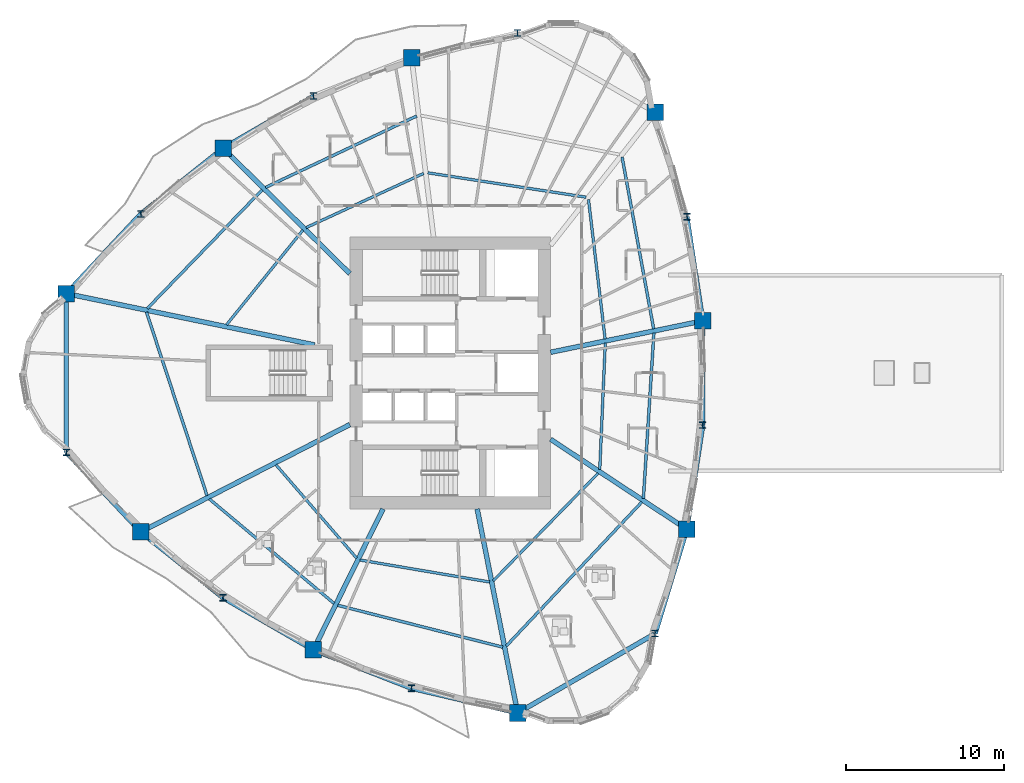
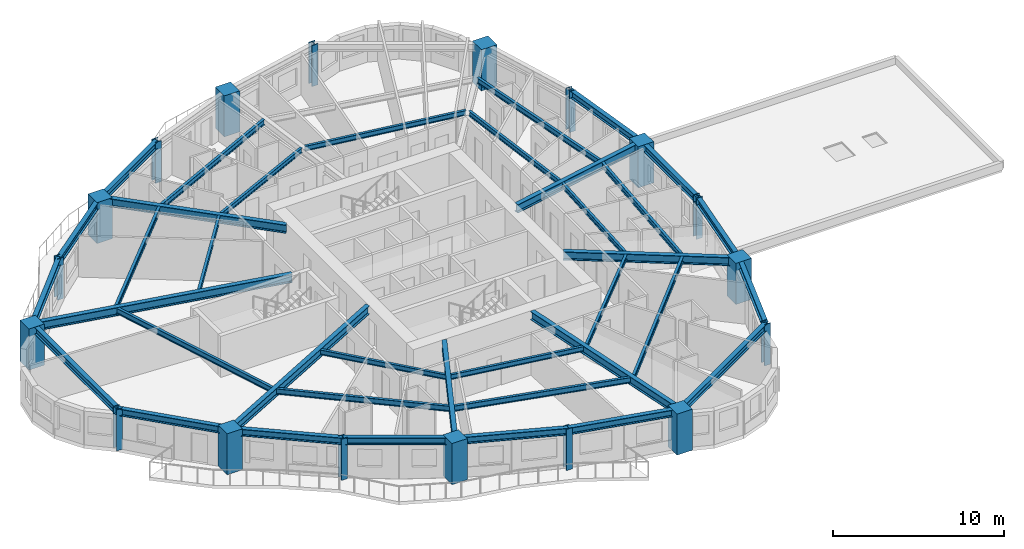
# One storey, part 1 of 15: 37 beams, 18 columns.
"""IFC4 building model written with IfcOpenShell, lengths in metres."""

import ifcopenshell
import ifcopenshell.guid

model = None  # the IFC model being written
_history = None  # IfcOwnerHistory: only IFC2X3 demands one
_inside = {}  # id of a spatial element -> (the spatial element, [elements in it])
_under = {}  # id of a project, library or spatial element -> (it, [spatial elements below it])
_declared = {}  # id of a project -> (the project, [libraries it declares])
_typed = {}  # id of a type object -> (the type object, [elements of that type])
_made_of = {}  # id of a material, layer set ... -> (it, [elements and type objects made of it])


def new_model(schema):
    """Start an empty IFC model of exactly this schema.

    Asked for "IFC4X3", IfcOpenShell would pick the latest addendum, in which some entities
    have other attributes; the version numbers below select the first issue.
    IFC2X3 requires an IfcOwnerHistory on every rooted entity: one is made here for all.
    """
    global model, _history
    if schema == "IFC4X3":
        model = ifcopenshell.file(schema_version=(4, 3, 0, 0))
    else:
        model = ifcopenshell.file(schema=schema)
    _inside.clear()
    _under.clear()
    _declared.clear()
    _typed.clear()
    _made_of.clear()
    _history = None
    if model.schema == "IFC2X3":
        org = make("IfcOrganization", Name="unknown")
        user = make(
            "IfcPersonAndOrganization",
            ThePerson=make("IfcPerson", FamilyName="unknown"),
            TheOrganization=org,
        )
        app = make(
            "IfcApplication",
            ApplicationDeveloper=org,
            Version="unknown",
            ApplicationFullName="unknown",
            ApplicationIdentifier="unknown",
        )
        _history = make(
            "IfcOwnerHistory",
            OwningUser=user,
            OwningApplication=app,
            ChangeAction="ADDED",
            CreationDate=0,
        )
    return model


def make(cls, **values):
    """One entity of the class cls with the attributes given. An attribute that is None is left unset."""
    return model.create_entity(
        cls, **{name: value for name, value in values.items() if value is not None}
    )


def rooted(cls, **values):
    """An entity with a GlobalId (a new one), such as an element, a storey or a relation."""
    return make(cls, GlobalId=ifcopenshell.guid.new(), OwnerHistory=_history, **values)


def si_unit(unit_type, name, prefix=None):
    """IfcSIUnit, for example si_unit("LENGTHUNIT", "METRE", prefix="MILLI")."""
    return make("IfcSIUnit", UnitType=unit_type, Prefix=prefix, Name=name)


def assignment(units):
    """IfcUnitAssignment: the units of a project."""
    return None if units is None else make("IfcUnitAssignment", Units=units)


def point(xyz):
    """IfcCartesianPoint."""
    return None if xyz is None else make("IfcCartesianPoint", Coordinates=xyz)


def direction(xyz):
    """IfcDirection."""
    return None if xyz is None else make("IfcDirection", DirectionRatios=xyz)


def frame(location, z_axis=None, x_axis=None):
    """IfcAxis2Placement3D, a coordinate frame: its origin and axes. An axis left out is left unset."""
    return make(
        "IfcAxis2Placement3D",
        Location=point(location),
        Axis=direction(z_axis),
        RefDirection=direction(x_axis),
    )


def frame_2d(location, x_axis=None):
    """IfcAxis2Placement2D, a coordinate frame in the plane: its origin and x axis."""
    return make(
        "IfcAxis2Placement2D", Location=point(location), RefDirection=direction(x_axis)
    )


def origin():
    """The frame at (0, 0, 0) with its axes left unset."""
    return frame((0.0, 0.0, 0.0))


def origin_2d():
    """The frame at (0, 0) in the plane with its x axis left unset."""
    return frame_2d((0.0, 0.0))


def place(relative_to, where):
    """IfcLocalPlacement: puts the frame where relative to a parent placement (None: the world)."""
    return make(
        "IfcLocalPlacement", PlacementRelTo=relative_to, RelativePlacement=where
    )


def context(
    kind, dimensions, precision=None, world=None, true_north=None, identifier=None
):
    """IfcGeometricRepresentationContext, for example the 3D "Model" context."""
    return make(
        "IfcGeometricRepresentationContext",
        ContextIdentifier=identifier,
        ContextType=kind,
        CoordinateSpaceDimension=dimensions,
        Precision=precision,
        WorldCoordinateSystem=world,
        TrueNorth=true_north,
    )


def subcontext(parent, identifier, kind, view, scale=None):
    """IfcGeometricRepresentationSubContext, for example "Body" below "Model"."""
    return make(
        "IfcGeometricRepresentationSubContext",
        ContextIdentifier=identifier,
        ContextType=kind,
        ParentContext=parent,
        TargetScale=scale,
        TargetView=view,
    )


def project(units=None, contexts=None):
    """IfcProject with its units and contexts."""
    return rooted(
        "IfcProject",
        Name="project",
        RepresentationContexts=contexts,
        UnitsInContext=assignment(units),
    )


def spatial(cls, under=None, at=None, **own):
    """A site, building, storey or space (cls), placed at a placement, below another one or the project."""
    s = rooted(cls, ObjectPlacement=at, **own)
    if under is not None:
        _under.setdefault(under.id(), (under, []))[1].append(s)
    return s


def profile(cls, at=None, kind="AREA", **sizes):
    """A parametric profile (cls). Its sizes go by their IFC names, for example OverallWidth=200.0."""
    return make(cls, ProfileType=kind, Position=at, **sizes)


def rectangle(**sizes):
    """IfcRectangleProfileDef."""
    return profile("IfcRectangleProfileDef", **sizes)


def i_section(**sizes):
    """IfcIShapeProfileDef."""
    return profile("IfcIShapeProfileDef", **sizes)


def extrude(swept, where, along, depth):
    """IfcExtrudedAreaSolid: the profile swept, set in the frame where, extruded along a direction by depth."""
    return make(
        "IfcExtrudedAreaSolid",
        SweptArea=swept,
        Position=where,
        ExtrudedDirection=direction(along),
        Depth=depth,
    )


def shape(context_of_items, identifier, shape_type, items):
    """IfcShapeRepresentation: the items that make up one representation, for example the "Body"."""
    return make(
        "IfcShapeRepresentation",
        ContextOfItems=context_of_items,
        RepresentationIdentifier=identifier,
        RepresentationType=shape_type,
        Items=items,
    )


def source(mapping_origin, context_of_items, identifier, shape_type, items):
    """IfcRepresentationMap: a shape defined once, which mapped items show again and again."""
    return make(
        "IfcRepresentationMap",
        MappingOrigin=mapping_origin,
        MappedRepresentation=shape(context_of_items, identifier, shape_type, items),
    )


def transform(
    local_origin,
    x_axis=None,
    y_axis=None,
    z_axis=None,
    scale=None,
    scale2=None,
    scale3=None,
    uniform=True,
):
    """IfcCartesianTransformationOperator3D, or its non-uniform kind. x_axis, y_axis, z_axis: its Axis1, 2, 3."""
    if uniform:
        return make(
            "IfcCartesianTransformationOperator3D",
            Axis1=direction(x_axis),
            Axis2=direction(y_axis),
            LocalOrigin=point(local_origin),
            Scale=scale,
            Axis3=direction(z_axis),
        )
    return make(
        "IfcCartesianTransformationOperator3DnonUniform",
        Axis1=direction(x_axis),
        Axis2=direction(y_axis),
        LocalOrigin=point(local_origin),
        Scale=scale,
        Axis3=direction(z_axis),
        Scale2=scale2,
        Scale3=scale3,
    )


def mapped(mapping_source, mapping_target):
    """IfcMappedItem: shows the shape of a source again, moved by a transform."""
    return make(
        "IfcMappedItem", MappingSource=mapping_source, MappingTarget=mapping_target
    )


def material(Name=None, Category=None):
    """IfcMaterial."""
    return make("IfcMaterial", Name=Name, Category=Category)


def material_profile(
    of_material, cross_section, Name=None, Category=None, Priority=None
):
    """IfcMaterialProfile: a cross section and its material."""
    return make(
        "IfcMaterialProfile",
        Name=Name,
        Material=of_material,
        Profile=cross_section,
        Priority=Priority,
        Category=Category,
    )


def profile_set(profiles, Name=None, composite=None):
    """IfcMaterialProfileSet."""
    return make(
        "IfcMaterialProfileSet",
        Name=Name,
        MaterialProfiles=profiles,
        CompositeProfile=composite,
    )


def made_of(thing, what):
    """Note that an element or type object is made of a material, layer set ...; save() writes the relation."""
    if what is not None:
        _made_of.setdefault(what.id(), (what, []))[1].append(thing)
    return thing


def type_object(cls, material=None, **own):
    """A type object (cls), such as IfcWallType, which elements share."""
    return made_of(rooted(cls, **own), material)


def element(
    cls,
    number,
    at=None,
    inside=None,
    cuts=None,
    type_object=None,
    material=None,
    context=None,
    identifier="Body",
    shape_type=None,
    held_by="IfcProductDefinitionShape",
    body=None,
    shapes=None,
    **own,
):
    """One element of the class cls, such as IfcWall. Its Tag is "e" and its number.

    at: its placement. inside: the storey or other place that contains it. cuts: it is an
    opening in that element (IfcRelVoidsElement). A single representation is given by context,
    identifier, shape_type and body (its items); several are given by shapes. held_by: the class
    of the entity that holds the representations. save() writes the other relations.
    """
    e = rooted(cls, Tag="e%d" % number, ObjectPlacement=at, **own)
    if body is not None:
        shapes = [shape(context, identifier, shape_type, body)]
    if shapes is not None:
        e.Representation = make(held_by, Representations=shapes)
    if inside is not None:
        _inside.setdefault(inside.id(), (inside, []))[1].append(e)
    if cuts is not None:
        rooted(
            "IfcRelVoidsElement", RelatingBuildingElement=cuts, RelatedOpeningElement=e
        )
    if type_object is not None:
        _typed.setdefault(type_object.id(), (type_object, []))[1].append(e)
    return made_of(e, material)


def aggregate(whole, parts):
    """IfcRelAggregates: a whole, such as a stair, and the parts it consists of."""
    return rooted("IfcRelAggregates", RelatingObject=whole, RelatedObjects=parts)


def save(model, path):
    """Write the relations noted so far, then the file.

    IfcRelAggregates (storeys below a building ...), IfcRelContainedInSpatialStructure (elements
    in a storey), IfcRelDefinesByType, IfcRelAssociatesMaterial and IfcRelDeclares: one each for
    every whole, place, type object, material and project.
    """
    for whole, parts in _under.values():
        aggregate(whole, parts)
    for where, things in _inside.values():
        rooted(
            "IfcRelContainedInSpatialStructure",
            RelatedElements=things,
            RelatingStructure=where,
        )
    for kind, things in _typed.values():
        rooted("IfcRelDefinesByType", RelatedObjects=things, RelatingType=kind)
    for what, things in _made_of.values():
        rooted("IfcRelAssociatesMaterial", RelatedObjects=things, RelatingMaterial=what)
    for by, libraries in _declared.values():
        rooted("IfcRelDeclares", RelatingContext=by, RelatedDefinitions=libraries)
    model.write(path)


model = new_model("IFC4")

# Units and contexts
model_context = context("Model", 3, precision=1e-05, world=origin(), true_north=direction((0.0, 1.0)))
body_context = subcontext(model_context, "Body", "Model", "MODEL_VIEW")
ifc_project = project(units=[si_unit("LENGTHUNIT", "METRE"), si_unit("AREAUNIT", "SQUARE_METRE"), si_unit("VOLUMEUNIT", "CUBIC_METRE"), si_unit("PLANEANGLEUNIT", "RADIAN"), si_unit("MASSUNIT", "GRAM", prefix="KILO")], contexts=[model_context])

# Site, building, storey
site_placement = place(None, origin())
site = spatial("IfcSite", under=ifc_project, at=site_placement, CompositionType="ELEMENT")
building_placement = place(site_placement, origin())
building = spatial("IfcBuilding", under=site, at=building_placement, Name="Qafzar Sky-Pleat Residences", CompositionType="ELEMENT")
storey_placement = place(building_placement, frame((0.0, 0.0, 36.60009765625)))
storey = spatial("IfcBuildingStorey", under=building, at=storey_placement, Name="L10", CompositionType="ELEMENT", Elevation=36.60009765625)

# Columns
ifc_material_1 = material(Name="Concrete C60/75", Category="concrete")
ifc_material_profile_1 = material_profile(ifc_material_1, rectangle(XDim=1.050048828125, YDim=1.050048828125, at=origin_2d()), Name="RC 1050x1050")
ifc_profile_set_1 = profile_set([ifc_material_profile_1], Name="Concrete C60/75")
column_type_1 = type_object("IfcColumnType", Name="COL-RC-1050", PredefinedType="COLUMN", material=ifc_profile_set_1)
shared_shape_1 = source(origin(), body_context, "Body", "SweptSolid", [
    extrude(rectangle(XDim=1.050048828125, YDim=1.050048828125, at=origin_2d()), origin(), (0.0, 0.0, 1.0), 2.93994140625),
])
for number, where, z_axis, x_axis, name in (
    (1, (6.06494140625, 31.02294921875, 0.0), (0.0, 0.0, 1.0), (1.0, 0.0, 0.0), "L10 Perimeter Mega Column 1"),
    (2, (10.773193359375, 15.944091796875, 0.0), (0.0, 0.0, 1.0), (1.0, 0.0, 0.0), "L10 Perimeter Mega Column 3"),
    (3, (21.693115234375, 8.482177734375, 0.0), (0.0, 0.0, 1.0), (1.0, 0.0, 0.0), "L10 Perimeter Mega Column 5"),
    (4, (34.617431640625, 4.4921875, 0.0), (0.0, 0.0, 1.0), (1.0, 0.0, 0.0), "L10 Perimeter Mega Column 7"),
    (5, (45.322021484375, 16.109130859375, 0.0), (0.0, 0.0, 1.0), (1.0, 0.0, 0.0), "L10 Perimeter Mega Column 9"),
    (6, (46.32421875, 29.297119140625, 0.0), (0.0, 0.0, 1.0), (1.0, 0.0, 0.0), "L10 Perimeter Mega Column 11"),
    (7, (43.3173828125, 42.48486328125, 0.0), (0.0, 0.0, 1.0), (1.0, 0.0, 0.0), "L10 Perimeter Mega Column 13"),
    (8, (27.90478515625, 45.94677734375, 0.0), (0.0, 0.0, 1.0), (1.0, 0.0, 0.0), "L10 Perimeter Mega Column 15"),
    (9, (15.982666015625, 40.220947265625, 0.0), (0.0, 0.0, 1.0), (1.0, 0.0, 0.0), "L10 Perimeter Mega Column 17"),
):
    element("IfcColumn", number, at=place(storey_placement, frame(where, z_axis=z_axis, x_axis=x_axis)), inside=storey, type_object=column_type_1, Name=name, PredefinedType="COLUMN", context=body_context, shape_type="MappedRepresentation", body=[
        mapped(shared_shape_1, transform((0.0, 0.0, 0.0), x_axis=(1.0, 0.0, 0.0), y_axis=(0.0, 1.0, 0.0), z_axis=(0.0, 0.0, 1.0), scale=1.0)),
    ])
ifc_material_2 = material(Name="Steel S460", Category="steel")
ifc_material_profile_2 = material_profile(ifc_material_2, i_section(OverallWidth=0.408935546875, OverallDepth=0.425048828125, WebThickness=0.030029296875, FlangeThickness=0.048095703125, FilletRadius=0.014892578125, at=origin_2d()), Name="HD 400x421")
ifc_profile_set_2 = profile_set([ifc_material_profile_2], Name="Steel S460")
column_type_2 = type_object("IfcColumnType", Name="COL-STL-HD421", PredefinedType="PILASTER", material=ifc_profile_set_2)
shared_shape_2 = source(origin(), body_context, "Body", "SweptSolid", [
    extrude(i_section(OverallWidth=0.408935546875, OverallDepth=0.425048828125, WebThickness=0.030029296875, FlangeThickness=0.048095703125, FilletRadius=0.014892578125, at=origin_2d()), origin(), (0.0, 0.0, 1.0), 2.93994140625),
])
for number, where, z_axis, x_axis, name in (
    (10, (6.06494140625, 20.97705078125, 0.0), (0.0, 0.0, 1.0), (1.0, 0.0, 0.0), "L10 Perimeter Mega Column 2"),
    (11, (15.982666015625, 11.779052734375, 0.0), (0.0, 0.0, 1.0), (1.0, 0.0, 0.0), "L10 Perimeter Mega Column 4"),
    (12, (27.90478515625, 6.05322265625, 0.0), (0.0, 0.0, 1.0), (1.0, 0.0, 0.0), "L10 Perimeter Mega Column 6"),
    (13, (43.3173828125, 9.51513671875, 0.0), (0.0, 0.0, 1.0), (1.0, 0.0, 0.0), "L10 Perimeter Mega Column 8"),
    (14, (46.32421875, 22.702880859375, 0.0), (0.0, 0.0, 1.0), (1.0, 0.0, 0.0), "L10 Perimeter Mega Column 10"),
    (15, (45.322021484375, 35.890869140625, 0.0), (0.0, 0.0, 1.0), (1.0, 0.0, 0.0), "L10 Perimeter Mega Column 12"),
    (16, (34.617431640625, 47.5078125, 0.0), (0.0, 0.0, 1.0), (1.0, 0.0, 0.0), "L10 Perimeter Mega Column 14"),
    (17, (21.693115234375, 43.517822265625, 0.0), (0.0, 0.0, 1.0), (1.0, 0.0, 0.0), "L10 Perimeter Mega Column 16"),
    (18, (10.773193359375, 36.055908203125, 0.0), (0.0, 0.0, 1.0), (1.0, 0.0, 0.0), "L10 Perimeter Mega Column 18"),
):
    element("IfcColumn", number, at=place(storey_placement, frame(where, z_axis=z_axis, x_axis=x_axis)), inside=storey, type_object=column_type_2, Name=name, PredefinedType="PILASTER", context=body_context, shape_type="MappedRepresentation", body=[
        mapped(shared_shape_2, transform((0.0, 0.0, 0.0), x_axis=(1.0, 0.0, 0.0), y_axis=(0.0, 1.0, 0.0), z_axis=(0.0, 0.0, 1.0), scale=1.0)),
    ])

# Beams
ifc_material_3 = material(Name="Steel S355", Category="steel")
ifc_material_profile_3 = material_profile(ifc_material_3, i_section(OverallWidth=0.300048828125, OverallDepth=0.5, WebThickness=0.014404296875, FlangeThickness=0.028076171875, FilletRadius=0.027099609375, at=origin_2d()), Name="HEB 500")
ifc_profile_set_3 = profile_set([ifc_material_profile_3], Name="Steel S355")
beam_type_1 = type_object("IfcBeamType", Name="BM-SPAN-HEB500", PredefinedType="SPANDREL", material=ifc_profile_set_3)
shared_shape_3 = source(origin(), body_context, "Body", "SweptSolid", [
    extrude(i_section(OverallWidth=0.300048828125, OverallDepth=0.5, WebThickness=0.014404296875, FlangeThickness=0.028076171875, FilletRadius=0.027099609375, at=origin_2d()), origin(), (0.0, 0.0, 1.0), 10.0458984375),
])
for number, where, z_axis, x_axis, name in (
    (19, (6.06494140625, 31.02294921875, 2.68798828125), (0.0, -1.0, 0.0), (1.0, 0.0, 0.0), "L10 Perimeter Spandrel Beam 1"),
    (20, (34.617431640625, 4.4921875, 2.68798828125), (0.866024107753, 0.500002244785, 0.0), (-0.500002244785, 0.866024107753, 0.0), "L10 Perimeter Spandrel Beam 7"),
):
    element("IfcBeam", number, at=place(storey_placement, frame(where, z_axis=z_axis, x_axis=x_axis)), inside=storey, type_object=beam_type_1, Name=name, PredefinedType="SPANDREL", context=body_context, shape_type="MappedRepresentation", body=[
        mapped(shared_shape_3, transform((0.0, 0.0, 0.0), x_axis=(1.0, 0.0, 0.0), y_axis=(0.0, 1.0, 0.0), z_axis=(0.0, 0.0, 1.0), scale=1.0)),
    ])
shared_shape_4 = source(origin(), body_context, "Body", "SweptSolid", [
    extrude(i_section(OverallWidth=0.300048828125, OverallDepth=0.5, WebThickness=0.014404296875, FlangeThickness=0.028076171875, FilletRadius=0.027099609375, at=origin_2d()), origin(), (0.0, 0.0, 1.0), 6.891845703125),
])
for number, where, z_axis, x_axis, name in (
    (21, (6.06494140625, 20.97705078125, 2.68798828125), (0.683157128776, -0.730271413519, 0.0), (0.730271413519, 0.683157128776, 0.0), "L10 Perimeter Spandrel Beam 2"),
    (22, (27.90478515625, 6.05322265625, 2.68798828125), (0.974009481097, -0.226507242122, 0.0), (0.226507242122, 0.974009481097, 0.0), "L10 Perimeter Spandrel Beam 6"),
    (23, (10.773193359375, 36.055908203125, 2.68798828125), (-0.683157128776, -0.730271413519, 0.0), (0.730271413519, -0.683157128776, 0.0), "L10 Perimeter Spandrel Beam 18"),
):
    element("IfcBeam", number, at=place(storey_placement, frame(where, z_axis=z_axis, x_axis=x_axis)), inside=storey, type_object=beam_type_1, Name=name, PredefinedType="SPANDREL", context=body_context, shape_type="MappedRepresentation", body=[
        mapped(shared_shape_4, transform((0.0, 0.0, 0.0), x_axis=(1.0, 0.0, 0.0), y_axis=(0.0, 1.0, 0.0), z_axis=(0.0, 0.0, 1.0), scale=1.0)),
    ])
shared_shape_5 = source(origin(), body_context, "Body", "SweptSolid", [
    extrude(i_section(OverallWidth=0.300048828125, OverallDepth=0.5, WebThickness=0.014404296875, FlangeThickness=0.028076171875, FilletRadius=0.027099609375, at=origin_2d()), origin(), (0.0, 0.0, 1.0), 6.669677734375),
])
for number, where, z_axis, x_axis, name in (
    (24, (10.773193359375, 15.944091796875, 2.68798828125), (0.781054472885, -0.624462897526, 0.0), (0.624462897526, 0.781054472885, 0.0), "L10 Perimeter Spandrel Beam 3"),
    (25, (21.693115234375, 8.482177734375, 2.68798828125), (0.931329164227, -0.364178510981, 0.0), (0.364178510981, 0.931329164227, 0.0), "L10 Perimeter Spandrel Beam 5"),
    (26, (15.982666015625, 40.220947265625, 2.68798828125), (-0.781054472885, -0.624462897526, 0.0), (0.624462897526, -0.781054472885, 0.0), "L10 Perimeter Spandrel Beam 17"),
):
    element("IfcBeam", number, at=place(storey_placement, frame(where, z_axis=z_axis, x_axis=x_axis)), inside=storey, type_object=beam_type_1, Name=name, PredefinedType="SPANDREL", context=body_context, shape_type="MappedRepresentation", body=[
        mapped(shared_shape_5, transform((0.0, 0.0, 0.0), x_axis=(1.0, 0.0, 0.0), y_axis=(0.0, 1.0, 0.0), z_axis=(0.0, 0.0, 1.0), scale=1.0)),
    ])
shared_shape_6 = source(origin(), body_context, "Body", "SweptSolid", [
    extrude(i_section(OverallWidth=0.300048828125, OverallDepth=0.5, WebThickness=0.014404296875, FlangeThickness=0.028076171875, FilletRadius=0.027099609375, at=origin_2d()), origin(), (0.0, 0.0, 1.0), 6.59375),
])
for number, where, z_axis, x_axis, name in (
    (27, (15.982666015625, 11.779052734375, 2.68798828125), (0.866028975758, -0.49999381311, 0.0), (0.49999381311, 0.866028975758, 0.0), "L10 Perimeter Spandrel Beam 4"),
    (28, (21.693115234375, 43.517822265625, 2.68798828125), (-0.866028975758, -0.49999381311, 0.0), (0.49999381311, -0.866028975758, 0.0), "L10 Perimeter Spandrel Beam 16"),
):
    element("IfcBeam", number, at=place(storey_placement, frame(where, z_axis=z_axis, x_axis=x_axis)), inside=storey, type_object=beam_type_1, Name=name, PredefinedType="SPANDREL", context=body_context, shape_type="MappedRepresentation", body=[
        mapped(shared_shape_6, transform((0.0, 0.0, 0.0), x_axis=(1.0, 0.0, 0.0), y_axis=(0.0, 1.0, 0.0), z_axis=(0.0, 0.0, 1.0), scale=1.0)),
    ])
shared_shape_7 = source(origin(), body_context, "Body", "SweptSolid", [
    extrude(i_section(OverallWidth=0.300048828125, OverallDepth=0.5, WebThickness=0.014404296875, FlangeThickness=0.028076171875, FilletRadius=0.027099609375, at=origin_2d()), origin(), (0.0, 0.0, 1.0), 6.89208984375),
])
beam_1_placement = place(storey_placement, frame((43.3173828125, 9.51513671875, 2.68798828125), z_axis=(0.290865585576, 0.95676392654, 0.0), x_axis=(-0.95676392654, 0.290865585576, 0.0)))
element("IfcBeam", 29, at=beam_1_placement, inside=storey, type_object=beam_type_1, Name="L10 Perimeter Spandrel Beam 8", PredefinedType="SPANDREL", context=body_context, shape_type="MappedRepresentation", body=[
    mapped(shared_shape_7, transform((0.0, 0.0, 0.0), x_axis=(1.0, 0.0, 0.0), y_axis=(0.0, 1.0, 0.0), z_axis=(0.0, 0.0, 1.0), scale=1.0)),
])
shared_shape_8 = source(origin(), body_context, "Body", "SweptSolid", [
    extrude(i_section(OverallWidth=0.300048828125, OverallDepth=0.5, WebThickness=0.014404296875, FlangeThickness=0.028076171875, FilletRadius=0.027099609375, at=origin_2d()), origin(), (0.0, 0.0, 1.0), 6.66943359375),
])
for number, where, z_axis, x_axis, name in (
    (30, (45.322021484375, 16.109130859375, 2.68798828125), (0.150266219826, 0.98864557005, 0.0), (-0.98864557005, 0.150266219826, 0.0), "L10 Perimeter Spandrel Beam 9"),
    (31, (46.32421875, 29.297119140625, 2.68798828125), (-0.150266219826, 0.98864557005, 0.0), (-0.98864557005, -0.150266219826, 0.0), "L10 Perimeter Spandrel Beam 11"),
):
    element("IfcBeam", number, at=place(storey_placement, frame(where, z_axis=z_axis, x_axis=x_axis)), inside=storey, type_object=beam_type_1, Name=name, PredefinedType="SPANDREL", context=body_context, shape_type="MappedRepresentation", body=[
        mapped(shared_shape_8, transform((0.0, 0.0, 0.0), x_axis=(1.0, 0.0, 0.0), y_axis=(0.0, 1.0, 0.0), z_axis=(0.0, 0.0, 1.0), scale=1.0)),
    ])
shared_shape_9 = source(origin(), body_context, "Body", "SweptSolid", [
    extrude(i_section(OverallWidth=0.300048828125, OverallDepth=0.5, WebThickness=0.014404296875, FlangeThickness=0.028076171875, FilletRadius=0.027099609375, at=origin_2d()), origin(), (0.0, 0.0, 1.0), 6.59423828125),
])
beam_2_placement = place(storey_placement, frame((46.32421875, 22.702880859375, 2.68798828125), z_axis=(0.0, 1.0, 0.0), x_axis=(-1.0, 0.0, 0.0)))
element("IfcBeam", 32, at=beam_2_placement, inside=storey, type_object=beam_type_1, Name="L10 Perimeter Spandrel Beam 10", PredefinedType="SPANDREL", context=body_context, shape_type="MappedRepresentation", body=[
    mapped(shared_shape_9, transform((0.0, 0.0, 0.0), x_axis=(1.0, 0.0, 0.0), y_axis=(0.0, 1.0, 0.0), z_axis=(0.0, 0.0, 1.0), scale=1.0)),
])
ifc_material_profile_4 = material_profile(ifc_material_3, i_section(OverallWidth=0.300048828125, OverallDepth=0.60009765625, WebThickness=0.015380859375, FlangeThickness=0.030029296875, FilletRadius=0.027099609375, at=origin_2d()), Name="HEB 600")
ifc_profile_set_4 = profile_set([ifc_material_profile_4], Name="Steel S355")
beam_type_2 = type_object("IfcBeamType", Name="BM-GIRD-HEB600", PredefinedType="BEAM", material=ifc_profile_set_4)
shared_shape_10 = source(origin(), body_context, "Body", "SweptSolid", [
    extrude(i_section(OverallWidth=0.300048828125, OverallDepth=0.60009765625, WebThickness=0.015380859375, FlangeThickness=0.030029296875, FilletRadius=0.027099609375, at=origin_2d()), origin(), (0.0, 0.0, 1.0), 16.035400390625),
])
beam_3_placement = place(storey_placement, frame((6.06494140625, 31.02294921875, 2.637939453125), z_axis=(0.979271250938, -0.202553245063, 0.0), x_axis=(0.202553245063, 0.979271250938, 0.0)))
element("IfcBeam", 33, at=beam_3_placement, inside=storey, type_object=beam_type_2, Name="L10 Radial Floor Girder 1", PredefinedType="BEAM", context=body_context, shape_type="MappedRepresentation", body=[
    mapped(shared_shape_10, transform((0.0, 0.0, 0.0), x_axis=(1.0, 0.0, 0.0), y_axis=(0.0, 1.0, 0.0), z_axis=(0.0, 0.0, 1.0), scale=1.0)),
])
shared_shape_11 = source(origin(), body_context, "Body", "SweptSolid", [
    extrude(i_section(OverallWidth=0.300048828125, OverallDepth=0.60009765625, WebThickness=0.015380859375, FlangeThickness=0.030029296875, FilletRadius=0.027099609375, at=origin_2d()), origin(), (0.0, 0.0, 1.0), 14.86962890625),
])
beam_4_placement = place(storey_placement, frame((10.773193359375, 15.944091796875, 2.637939453125), z_axis=(0.88951111228, 0.456913537915, 0.0), x_axis=(-0.456913537915, 0.88951111228, 0.0)))
element("IfcBeam", 34, at=beam_4_placement, inside=storey, type_object=beam_type_2, Name="L10 Radial Floor Girder 3", PredefinedType="BEAM", context=body_context, shape_type="MappedRepresentation", body=[
    mapped(shared_shape_11, transform((0.0, 0.0, 0.0), x_axis=(1.0, 0.0, 0.0), y_axis=(0.0, 1.0, 0.0), z_axis=(0.0, 0.0, 1.0), scale=1.0)),
])
shared_shape_12 = source(origin(), body_context, "Body", "SweptSolid", [
    extrude(i_section(OverallWidth=0.300048828125, OverallDepth=0.60009765625, WebThickness=0.015380859375, FlangeThickness=0.030029296875, FilletRadius=0.027099609375, at=origin_2d()), origin(), (0.0, 0.0, 1.0), 9.947265625),
])
beam_5_placement = place(storey_placement, frame((21.693115234375, 8.482177734375, 2.637939453125), z_axis=(0.443036319431, 0.896503664055, 0.0), x_axis=(-0.896503664055, 0.443036319431, 0.0)))
element("IfcBeam", 35, at=beam_5_placement, inside=storey, type_object=beam_type_2, Name="L10 Radial Floor Girder 5", PredefinedType="BEAM", context=body_context, shape_type="MappedRepresentation", body=[
    mapped(shared_shape_12, transform((0.0, 0.0, 0.0), x_axis=(1.0, 0.0, 0.0), y_axis=(0.0, 1.0, 0.0), z_axis=(0.0, 0.0, 1.0), scale=1.0)),
])
shared_shape_13 = source(origin(), body_context, "Body", "SweptSolid", [
    extrude(i_section(OverallWidth=0.300048828125, OverallDepth=0.60009765625, WebThickness=0.015380859375, FlangeThickness=0.030029296875, FilletRadius=0.027099609375, at=origin_2d()), origin(), (0.0, 0.0, 1.0), 13.159423828125),
])
beam_6_placement = place(storey_placement, frame((34.617431640625, 4.4921875, 2.637939453125), z_axis=(-0.194617421926, 0.980879227572, 0.0), x_axis=(-0.980879227572, -0.194617421926, 0.0)))
element("IfcBeam", 36, at=beam_6_placement, inside=storey, type_object=beam_type_2, Name="L10 Radial Floor Girder 7", PredefinedType="BEAM", context=body_context, shape_type="MappedRepresentation", body=[
    mapped(shared_shape_13, transform((0.0, 0.0, 0.0), x_axis=(1.0, 0.0, 0.0), y_axis=(0.0, 1.0, 0.0), z_axis=(0.0, 0.0, 1.0), scale=1.0)),
])
shared_shape_14 = source(origin(), body_context, "Body", "SweptSolid", [
    extrude(i_section(OverallWidth=0.300048828125, OverallDepth=0.60009765625, WebThickness=0.015380859375, FlangeThickness=0.030029296875, FilletRadius=0.027099609375, at=origin_2d()), origin(), (0.0, 0.0, 1.0), 10.33349609375),
])
beam_7_placement = place(storey_placement, frame((45.322021484375, 16.109130859375, 2.637939453125), z_axis=(-0.834376455405, 0.551195002395, 0.0), x_axis=(-0.551195002395, -0.834376455405, 0.0)))
element("IfcBeam", 37, at=beam_7_placement, inside=storey, type_object=beam_type_2, Name="L10 Radial Floor Girder 9", PredefinedType="BEAM", context=body_context, shape_type="MappedRepresentation", body=[
    mapped(shared_shape_14, transform((0.0, 0.0, 0.0), x_axis=(1.0, 0.0, 0.0), y_axis=(0.0, 1.0, 0.0), z_axis=(0.0, 0.0, 1.0), scale=1.0)),
])
shared_shape_15 = source(origin(), body_context, "Body", "SweptSolid", [
    extrude(i_section(OverallWidth=0.300048828125, OverallDepth=0.60009765625, WebThickness=0.015380859375, FlangeThickness=0.030029296875, FilletRadius=0.027099609375, at=origin_2d()), origin(), (0.0, 0.0, 1.0), 9.8271484375),
])
beam_8_placement = place(storey_placement, frame((46.32421875, 29.297119140625, 2.637939453125), z_axis=(-0.979354305719, -0.202151289557, 0.0), x_axis=(0.202151289557, -0.979354305719, 0.0)))
element("IfcBeam", 38, at=beam_8_placement, inside=storey, type_object=beam_type_2, Name="L10 Radial Floor Girder 11", PredefinedType="BEAM", context=body_context, shape_type="MappedRepresentation", body=[
    mapped(shared_shape_15, transform((0.0, 0.0, 0.0), x_axis=(1.0, 0.0, 0.0), y_axis=(0.0, 1.0, 0.0), z_axis=(0.0, 0.0, 1.0), scale=1.0)),
])
shared_shape_16 = source(origin(), body_context, "Body", "SweptSolid", [
    extrude(i_section(OverallWidth=0.300048828125, OverallDepth=0.60009765625, WebThickness=0.015380859375, FlangeThickness=0.030029296875, FilletRadius=0.027099609375, at=origin_2d()), origin(), (0.0, 0.0, 1.0), 11.280517578125),
])
beam_9_placement = place(storey_placement, frame((15.982666015625, 40.220947265625, 2.637939453125), z_axis=(0.710722630648, -0.703472346496, 0.0), x_axis=(0.703472346496, 0.710722630648, 0.0)))
element("IfcBeam", 39, at=beam_9_placement, inside=storey, type_object=beam_type_2, Name="L10 Radial Floor Girder 17", PredefinedType="BEAM", context=body_context, shape_type="MappedRepresentation", body=[
    mapped(shared_shape_16, transform((0.0, 0.0, 0.0), x_axis=(1.0, 0.0, 0.0), y_axis=(0.0, 1.0, 0.0), z_axis=(0.0, 0.0, 1.0), scale=1.0)),
])
ifc_material_profile_5 = material_profile(ifc_material_3, i_section(OverallWidth=0.179931640625, OverallDepth=0.39990234375, WebThickness=0.008544921875, FlangeThickness=0.013427734375, FilletRadius=0.02099609375, at=origin_2d()), Name="IPE 400")
ifc_profile_set_5 = profile_set([ifc_material_profile_5], Name="Steel S355")
beam_type_3 = type_object("IfcBeamType", Name="BM-JST-IPE400", PredefinedType="JOIST", material=ifc_profile_set_5)
shared_shape_17 = source(origin(), body_context, "Body", "SweptSolid", [
    extrude(i_section(OverallWidth=0.179931640625, OverallDepth=0.39990234375, WebThickness=0.008544921875, FlangeThickness=0.013427734375, FilletRadius=0.02099609375, at=origin_2d()), origin(), (0.0, 0.0, 1.0), 12.224853515625),
])
beam_10_placement = place(storey_placement, frame((11.13232421875, 29.85546875, 2.73779296875), z_axis=(0.313380515815, -0.949627638766, 0.0), x_axis=(0.949627638766, 0.313380515815, 0.0)))
element("IfcBeam", 40, at=beam_10_placement, inside=storey, type_object=beam_type_3, Name="L10 Outer Secondary Floor Joist 1", PredefinedType="JOIST", context=body_context, shape_type="MappedRepresentation", body=[
    mapped(shared_shape_17, transform((0.0, 0.0, 0.0), x_axis=(1.0, 0.0, 0.0), y_axis=(0.0, 1.0, 0.0), z_axis=(0.0, 0.0, 1.0), scale=1.0)),
])
shared_shape_18 = source(origin(), body_context, "Body", "SweptSolid", [
    extrude(i_section(OverallWidth=0.179931640625, OverallDepth=0.39990234375, WebThickness=0.008544921875, FlangeThickness=0.013427734375, FilletRadius=0.02099609375, at=origin_2d()), origin(), (0.0, 0.0, 1.0), 10.29248046875),
])
beam_11_placement = place(storey_placement, frame((15.109375, 18.031494140625, 2.73779296875), z_axis=(0.766614834717, -0.642107230291, 0.0), x_axis=(0.642107230291, 0.766614834717, 0.0)))
element("IfcBeam", 41, at=beam_11_placement, inside=storey, type_object=beam_type_3, Name="L10 Outer Secondary Floor Joist 2", PredefinedType="JOIST", context=body_context, shape_type="MappedRepresentation", body=[
    mapped(shared_shape_18, transform((0.0, 0.0, 0.0), x_axis=(1.0, 0.0, 0.0), y_axis=(0.0, 1.0, 0.0), z_axis=(0.0, 0.0, 1.0), scale=1.0)),
])
shared_shape_19 = source(origin(), body_context, "Body", "SweptSolid", [
    extrude(i_section(OverallWidth=0.179931640625, OverallDepth=0.39990234375, WebThickness=0.008544921875, FlangeThickness=0.013427734375, FilletRadius=0.02099609375, at=origin_2d()), origin(), (0.0, 0.0, 1.0), 10.763427734375),
])
beam_12_placement = place(storey_placement, frame((23.234130859375, 11.302734375, 2.73779296875), z_axis=(0.969294730882, -0.245901859862, 0.0), x_axis=(0.245901859862, 0.969294730882, 0.0)))
element("IfcBeam", 42, at=beam_12_placement, inside=storey, type_object=beam_type_3, Name="L10 Outer Secondary Floor Joist 3", PredefinedType="JOIST", context=body_context, shape_type="MappedRepresentation", body=[
    mapped(shared_shape_19, transform((0.0, 0.0, 0.0), x_axis=(1.0, 0.0, 0.0), y_axis=(0.0, 1.0, 0.0), z_axis=(0.0, 0.0, 1.0), scale=1.0)),
])
shared_shape_20 = source(origin(), body_context, "Body", "SweptSolid", [
    extrude(i_section(OverallWidth=0.179931640625, OverallDepth=0.39990234375, WebThickness=0.008544921875, FlangeThickness=0.013427734375, FilletRadius=0.02099609375, at=origin_2d()), origin(), (0.0, 0.0, 1.0), 12.51611328125),
])
beam_13_placement = place(storey_placement, frame((33.890380859375, 8.72119140625, 2.73779296875), z_axis=(0.685525313068, 0.728048793106, 0.0), x_axis=(-0.728048793106, 0.685525313068, 0.0)))
element("IfcBeam", 43, at=beam_13_placement, inside=storey, type_object=beam_type_3, Name="L10 Outer Secondary Floor Joist 4", PredefinedType="JOIST", context=body_context, shape_type="MappedRepresentation", body=[
    mapped(shared_shape_20, transform((0.0, 0.0, 0.0), x_axis=(1.0, 0.0, 0.0), y_axis=(0.0, 1.0, 0.0), z_axis=(0.0, 0.0, 1.0), scale=1.0)),
])
shared_shape_21 = source(origin(), body_context, "Body", "SweptSolid", [
    extrude(i_section(OverallWidth=0.179931640625, OverallDepth=0.39990234375, WebThickness=0.008544921875, FlangeThickness=0.013427734375, FilletRadius=0.02099609375, at=origin_2d()), origin(), (0.0, 0.0, 1.0), 10.481201171875),
])
beam_14_placement = place(storey_placement, frame((42.571533203125, 18.06640625, 2.73779296875), z_axis=(0.063403507152, 0.997987973515, 0.0), x_axis=(-0.997987973515, 0.063403507152, 0.0)))
element("IfcBeam", 44, at=beam_14_placement, inside=storey, type_object=beam_type_3, Name="L10 Outer Secondary Floor Joist 5", PredefinedType="JOIST", context=body_context, shape_type="MappedRepresentation", body=[
    mapped(shared_shape_21, transform((0.0, 0.0, 0.0), x_axis=(1.0, 0.0, 0.0), y_axis=(0.0, 1.0, 0.0), z_axis=(0.0, 0.0, 1.0), scale=1.0)),
])
shared_shape_22 = source(origin(), body_context, "Body", "SweptSolid", [
    extrude(i_section(OverallWidth=0.179931640625, OverallDepth=0.39990234375, WebThickness=0.008544921875, FlangeThickness=0.013427734375, FilletRadius=0.02099609375, at=origin_2d()), origin(), (0.0, 0.0, 1.0), 11.0478515625),
])
beam_15_placement = place(storey_placement, frame((43.22021484375, 28.794189453125, 2.73779296875), z_axis=(-0.180656755631, 0.983546204631, 0.0), x_axis=(-0.983546204631, -0.180656755631, 0.0)))
element("IfcBeam", 45, at=beam_15_placement, inside=storey, type_object=beam_type_3, Name="L10 Outer Secondary Floor Joist 6", PredefinedType="JOIST", context=body_context, shape_type="MappedRepresentation", body=[
    mapped(shared_shape_22, transform((0.0, 0.0, 0.0), x_axis=(1.0, 0.0, 0.0), y_axis=(0.0, 1.0, 0.0), z_axis=(0.0, 0.0, 1.0), scale=1.0)),
])
shared_shape_23 = source(origin(), body_context, "Body", "SweptSolid", [
    extrude(i_section(OverallWidth=0.179931640625, OverallDepth=0.39990234375, WebThickness=0.008544921875, FlangeThickness=0.013427734375, FilletRadius=0.02099609375, at=origin_2d()), origin(), (0.0, 0.0, 1.0), 10.572021484375),
])
beam_16_placement = place(storey_placement, frame((28.227783203125, 42.258056640625, 2.73779296875), z_axis=(-0.904048417002, -0.427430064123, 0.0), x_axis=(0.427430064123, -0.904048417002, 0.0)))
element("IfcBeam", 46, at=beam_16_placement, inside=storey, type_object=beam_type_3, Name="L10 Outer Secondary Floor Joist 8", PredefinedType="JOIST", context=body_context, shape_type="MappedRepresentation", body=[
    mapped(shared_shape_23, transform((0.0, 0.0, 0.0), x_axis=(1.0, 0.0, 0.0), y_axis=(0.0, 1.0, 0.0), z_axis=(0.0, 0.0, 1.0), scale=1.0)),
])
shared_shape_24 = source(origin(), body_context, "Body", "SweptSolid", [
    extrude(i_section(OverallWidth=0.179931640625, OverallDepth=0.39990234375, WebThickness=0.008544921875, FlangeThickness=0.013427734375, FilletRadius=0.02099609375, at=origin_2d()), origin(), (0.0, 0.0, 1.0), 10.448486328125),
])
beam_17_placement = place(storey_placement, frame((18.4541015625, 37.584716796875, 2.73779296875), z_axis=(-0.69582572679, -0.718210664037, 0.0), x_axis=(0.718210664037, -0.69582572679, 0.0)))
element("IfcBeam", 47, at=beam_17_placement, inside=storey, type_object=beam_type_3, Name="L10 Outer Secondary Floor Joist 9", PredefinedType="JOIST", context=body_context, shape_type="MappedRepresentation", body=[
    mapped(shared_shape_24, transform((0.0, 0.0, 0.0), x_axis=(1.0, 0.0, 0.0), y_axis=(0.0, 1.0, 0.0), z_axis=(0.0, 0.0, 1.0), scale=1.0)),
])
ifc_material_profile_6 = material_profile(ifc_material_3, i_section(OverallWidth=0.169921875, OverallDepth=0.360107421875, WebThickness=0.008056640625, FlangeThickness=0.0126953125, FilletRadius=0.01806640625, at=origin_2d()), Name="IPE 360")
ifc_profile_set_6 = profile_set([ifc_material_profile_6], Name="Steel S355")
beam_type_4 = type_object("IfcBeamType", Name="BM-JST-IPE360", PredefinedType="JOIST", material=ifc_profile_set_6)
shared_shape_25 = source(origin(), body_context, "Body", "SweptSolid", [
    extrude(i_section(OverallWidth=0.169921875, OverallDepth=0.360107421875, WebThickness=0.008056640625, FlangeThickness=0.0126953125, FilletRadius=0.01806640625, at=origin_2d()), origin(), (0.0, 0.0, 1.0), 7.796630859375),
])
beam_18_placement = place(storey_placement, frame((19.32666015625, 20.190185546875, 2.7578125), z_axis=(0.65395243507, -0.756535665164, 0.0), x_axis=(0.756535665164, 0.65395243507, 0.0)))
element("IfcBeam", 48, at=beam_18_placement, inside=storey, type_object=beam_type_4, Name="L10 Inner Secondary Floor Joist 2", PredefinedType="JOIST", context=body_context, shape_type="MappedRepresentation", body=[
    mapped(shared_shape_25, transform((0.0, 0.0, 0.0), x_axis=(1.0, 0.0, 0.0), y_axis=(0.0, 1.0, 0.0), z_axis=(0.0, 0.0, 1.0), scale=1.0)),
])
shared_shape_26 = source(origin(), body_context, "Body", "SweptSolid", [
    extrude(i_section(OverallWidth=0.169921875, OverallDepth=0.360107421875, WebThickness=0.008056640625, FlangeThickness=0.0126953125, FilletRadius=0.01806640625, at=origin_2d()), origin(), (0.0, 0.0, 1.0), 8.315673828125),
])
beam_19_placement = place(storey_placement, frame((24.646728515625, 14.1669921875, 2.7578125), z_axis=(0.985908042509, -0.167288169686, 0.0), x_axis=(0.167288169686, 0.985908042509, 0.0)))
element("IfcBeam", 49, at=beam_19_placement, inside=storey, type_object=beam_type_4, Name="L10 Inner Secondary Floor Joist 3", PredefinedType="JOIST", context=body_context, shape_type="MappedRepresentation", body=[
    mapped(shared_shape_26, transform((0.0, 0.0, 0.0), x_axis=(1.0, 0.0, 0.0), y_axis=(0.0, 1.0, 0.0), z_axis=(0.0, 0.0, 1.0), scale=1.0)),
])
shared_shape_27 = source(origin(), body_context, "Body", "SweptSolid", [
    extrude(i_section(OverallWidth=0.169921875, OverallDepth=0.360107421875, WebThickness=0.008056640625, FlangeThickness=0.0126953125, FilletRadius=0.01806640625, at=origin_2d()), origin(), (0.0, 0.0, 1.0), 9.5078125),
])
beam_20_placement = place(storey_placement, frame((33.072509765625, 12.849853515625, 2.7578125), z_axis=(0.698075453476, 0.716024204377, 0.0), x_axis=(-0.716024204377, 0.698075453476, 0.0)))
element("IfcBeam", 50, at=beam_20_placement, inside=storey, type_object=beam_type_4, Name="L10 Inner Secondary Floor Joist 4", PredefinedType="JOIST", context=body_context, shape_type="MappedRepresentation", body=[
    mapped(shared_shape_27, transform((0.0, 0.0, 0.0), x_axis=(1.0, 0.0, 0.0), y_axis=(0.0, 1.0, 0.0), z_axis=(0.0, 0.0, 1.0), scale=1.0)),
])
shared_shape_28 = source(origin(), body_context, "Body", "SweptSolid", [
    extrude(i_section(OverallWidth=0.169921875, OverallDepth=0.360107421875, WebThickness=0.008056640625, FlangeThickness=0.0126953125, FilletRadius=0.01806640625, at=origin_2d()), origin(), (0.0, 0.0, 1.0), 8.009033203125),
])
beam_21_placement = place(storey_placement, frame((39.809814453125, 19.889404296875, 2.7578125), z_axis=(0.043590673979, 0.999049474822, 0.0), x_axis=(-0.999049474822, 0.043590673979, 0.0)))
element("IfcBeam", 51, at=beam_21_placement, inside=storey, type_object=beam_type_4, Name="L10 Inner Secondary Floor Joist 5", PredefinedType="JOIST", context=body_context, shape_type="MappedRepresentation", body=[
    mapped(shared_shape_28, transform((0.0, 0.0, 0.0), x_axis=(1.0, 0.0, 0.0), y_axis=(0.0, 1.0, 0.0), z_axis=(0.0, 0.0, 1.0), scale=1.0)),
])
shared_shape_29 = source(origin(), body_context, "Body", "SweptSolid", [
    extrude(i_section(OverallWidth=0.169921875, OverallDepth=0.360107421875, WebThickness=0.008056640625, FlangeThickness=0.0126953125, FilletRadius=0.01806640625, at=origin_2d()), origin(), (0.0, 0.0, 1.0), 8.869384765625),
])
beam_22_placement = place(storey_placement, frame((40.148681640625, 28.159912109375, 2.7578125), z_axis=(-0.118419036008, 0.992963711276, 0.0), x_axis=(-0.992963711276, -0.118419036008, 0.0)))
element("IfcBeam", 52, at=beam_22_placement, inside=storey, type_object=beam_type_4, Name="L10 Inner Secondary Floor Joist 6", PredefinedType="JOIST", context=body_context, shape_type="MappedRepresentation", body=[
    mapped(shared_shape_29, transform((0.0, 0.0, 0.0), x_axis=(1.0, 0.0, 0.0), y_axis=(0.0, 1.0, 0.0), z_axis=(0.0, 0.0, 1.0), scale=1.0)),
])
shared_shape_30 = source(origin(), body_context, "Body", "SweptSolid", [
    extrude(i_section(OverallWidth=0.169921875, OverallDepth=0.360107421875, WebThickness=0.008056640625, FlangeThickness=0.0126953125, FilletRadius=0.01806640625, at=origin_2d()), origin(), (0.0, 0.0, 1.0), 10.138671875),
])
beam_23_placement = place(storey_placement, frame((38.948974609375, 37.121337890625, 2.7578125), z_axis=(-0.98835164535, 0.152187467075, 0.0), x_axis=(-0.152187467075, -0.98835164535, 0.0)))
element("IfcBeam", 53, at=beam_23_placement, inside=storey, type_object=beam_type_4, Name="L10 Inner Secondary Floor Joist 7", PredefinedType="JOIST", context=body_context, shape_type="MappedRepresentation", body=[
    mapped(shared_shape_30, transform((0.0, 0.0, 0.0), x_axis=(1.0, 0.0, 0.0), y_axis=(0.0, 1.0, 0.0), z_axis=(0.0, 0.0, 1.0), scale=1.0)),
])
shared_shape_31 = source(origin(), body_context, "Body", "SweptSolid", [
    extrude(i_section(OverallWidth=0.169921875, OverallDepth=0.360107421875, WebThickness=0.008056640625, FlangeThickness=0.0126953125, FilletRadius=0.01806640625, at=origin_2d()), origin(), (0.0, 0.0, 1.0), 8.18896484375),
])
beam_24_placement = place(storey_placement, frame((28.67236328125, 38.62841796875, 2.7578125), z_axis=(-0.908067556374, -0.418823725522, 0.0), x_axis=(0.418823725522, -0.908067556374, 0.0)))
element("IfcBeam", 54, at=beam_24_placement, inside=storey, type_object=beam_type_4, Name="L10 Inner Secondary Floor Joist 8", PredefinedType="JOIST", context=body_context, shape_type="MappedRepresentation", body=[
    mapped(shared_shape_31, transform((0.0, 0.0, 0.0), x_axis=(1.0, 0.0, 0.0), y_axis=(0.0, 1.0, 0.0), z_axis=(0.0, 0.0, 1.0), scale=1.0)),
])
shared_shape_32 = source(origin(), body_context, "Body", "SweptSolid", [
    extrude(i_section(OverallWidth=0.169921875, OverallDepth=0.360107421875, WebThickness=0.008056640625, FlangeThickness=0.0126953125, FilletRadius=0.01806640625, at=origin_2d()), origin(), (0.0, 0.0, 1.0), 7.692626953125),
])
beam_25_placement = place(storey_placement, frame((21.029052734375, 35.037109375, 2.7578125), z_axis=(-0.627790290759, -0.778382522176, 0.0), x_axis=(0.778382522176, -0.627790290759, 0.0)))
element("IfcBeam", 55, at=beam_25_placement, inside=storey, type_object=beam_type_4, Name="L10 Inner Secondary Floor Joist 9", PredefinedType="JOIST", context=body_context, shape_type="MappedRepresentation", body=[
    mapped(shared_shape_32, transform((0.0, 0.0, 0.0), x_axis=(1.0, 0.0, 0.0), y_axis=(0.0, 1.0, 0.0), z_axis=(0.0, 0.0, 1.0), scale=1.0)),
])

save(model, "model.ifc")
